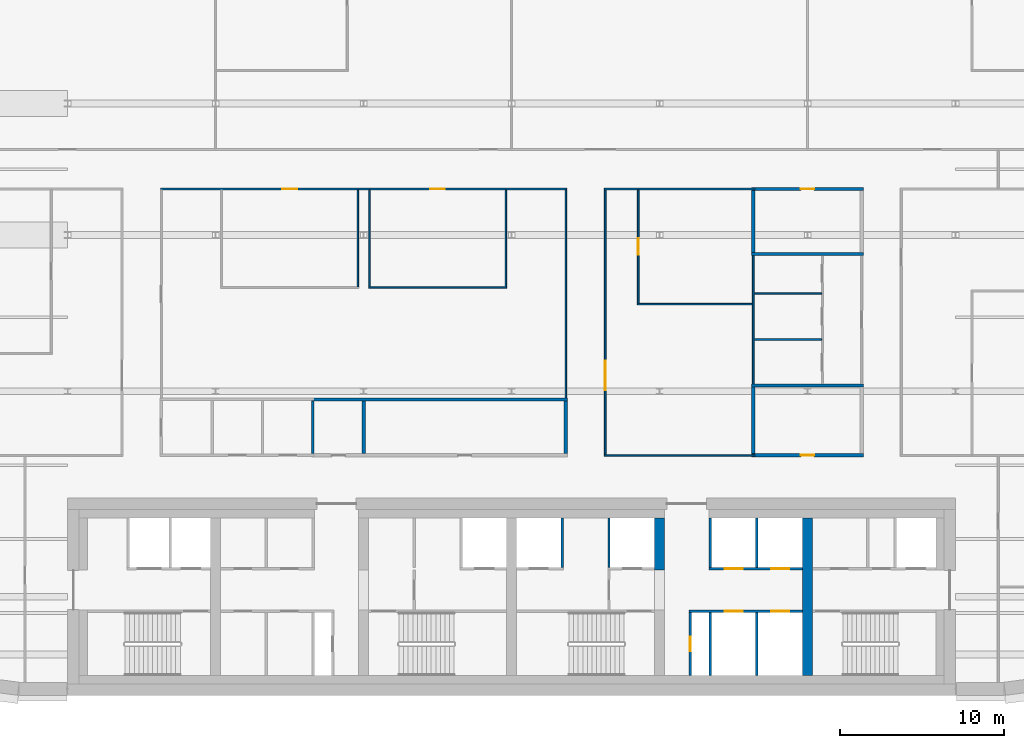
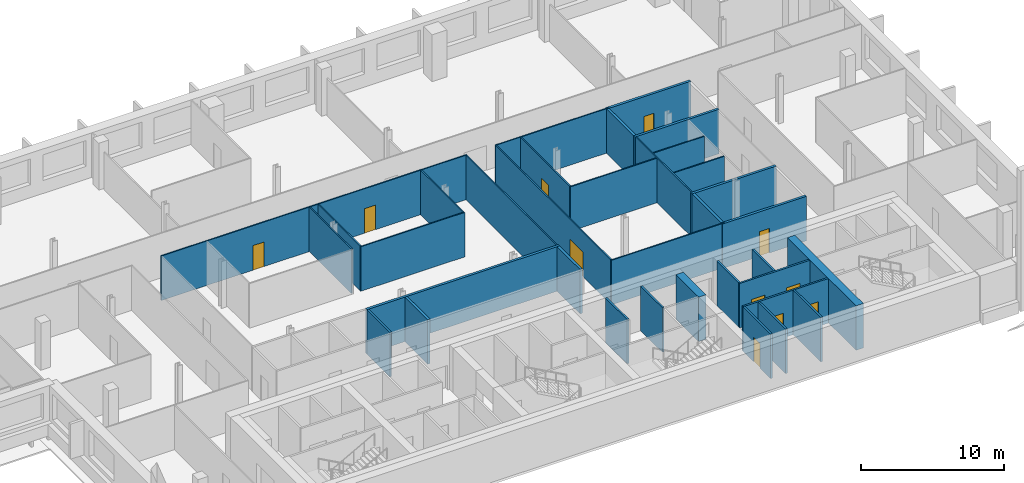
# One storey, part 8 of 19: 35 walls, 11 doors, 11 openings.
"""IFC4 building model written with IfcOpenShell, lengths in metres."""

from ifc_helpers import new_model, si_unit, direction, frame, frame_2d, origin, place, context, subcontext, project, spatial, rectangle, extrude, material, layer, layer_set, type_object, element, fill, save


model = new_model("IFC4")

# Units and contexts
model_context = context("Model", 3, precision=1e-05, world=origin(), true_north=direction((0.0, 1.0)))
body_context = subcontext(model_context, "Body", "Model", "MODEL_VIEW")
ifc_project = project(units=[si_unit("LENGTHUNIT", "METRE"), si_unit("AREAUNIT", "SQUARE_METRE"), si_unit("VOLUMEUNIT", "CUBIC_METRE"), si_unit("PLANEANGLEUNIT", "RADIAN"), si_unit("MASSUNIT", "GRAM", prefix="KILO")], contexts=[model_context])

# Site, building, storey
site_placement = place(None, origin())
site = spatial("IfcSite", under=ifc_project, at=site_placement, CompositionType="ELEMENT")
building_placement = place(site_placement, origin())
building = spatial("IfcBuilding", under=site, at=building_placement, Name="Zellij Exchange Tower", CompositionType="ELEMENT")
storey_placement = place(building_placement, frame((0.0, 0.0, 220.5)))
storey = spatial("IfcBuildingStorey", under=building, at=storey_placement, Name="L51", CompositionType="ELEMENT", Elevation=220.5)

# Walls
ifc_material_1 = material(Name="Concrete C50/60", Category="concrete")
ifc_layer_1 = layer(ifc_material_1, 0.60009765625)
ifc_layer_set_1 = layer_set([ifc_layer_1], Name="Concrete C50/60")
wall_type_1 = type_object("IfcWallType", Name="CORE-CW 600 C50/60", PredefinedType="SHEAR", material=ifc_layer_set_1)
wall_1_placement = place(storey_placement, frame((9.0, -6.375, 0.0), z_axis=(0.0, 0.0, 1.0), x_axis=(0.0, 1.0, 0.0)))
element("IfcWall", 1, at=wall_1_placement, inside=storey, type_object=wall_type_1, Name="Core cross wall pier x 9 b L51", PredefinedType="SHEAR", context=body_context, shape_type="SweptSolid", body=[
    extrude(rectangle(XDim=3.175048828125, YDim=0.60009765625, at=frame_2d((1.58740234375, 0.0))), origin(), (0.0, 0.0, 1.0), 3.800048828125),
])
wall_2_placement = place(storey_placement, frame((18.0, -12.800048828125, 0.0), z_axis=(0.0, 0.0, 1.0), x_axis=(0.0, 1.0, 0.0)))
element("IfcWall", 2, at=wall_2_placement, inside=storey, type_object=wall_type_1, Name="Core cross wall x 18 L51", PredefinedType="SHEAR", context=body_context, shape_type="SweptSolid", body=[
    extrude(rectangle(XDim=9.60009765625, YDim=0.60009765625, at=frame_2d((4.800048828125, 0.0))), origin(), (0.0, 0.0, 1.0), 3.800048828125),
])

# Wall, opening, door
ifc_material_2 = material(Name="Gypsum board partition")
ifc_layer_2 = layer(ifc_material_2, 0.14990234375)
ifc_layer_set_2 = layer_set([ifc_layer_2], Name="Gypsum board partition")
wall_type_2 = type_object("IfcWallType", Name="CORE-PW 150 Lift lobby wall", PredefinedType="PARTITIONING", material=ifc_layer_set_2)
wall_3_placement = place(storey_placement, frame((10.875, -12.800048828125, 0.0), z_axis=(0.0, 0.0, 1.0), x_axis=(0.0, 1.0, 0.0)))
wall_3 = element("IfcWall", 3, at=wall_3_placement, inside=storey, type_object=wall_type_2, Name="Lift lobby wall L51", PredefinedType="PARTITIONING", context=body_context, shape_type="SweptSolid", body=[
    extrude(rectangle(XDim=3.85009765625, YDim=0.14990234375, at=frame_2d((1.925048828125, 0.0))), origin(), (0.0, 0.0, 1.0), 3.800048828125),
])
opening_1_placement = place(wall_3_placement, frame((1.47509765625, 0.0, 0.0)))
opening_1 = element("IfcOpeningElement", 4, at=opening_1_placement, cuts=wall_3, Name="Opening CA-28.19", PredefinedType="OPENING", context=body_context, shape_type="SweptSolid", body=[
    extrude(rectangle(XDim=0.89990234375, YDim=2.10009765625, at=frame_2d((0.449951171875, 1.050048828125))), frame((0.0, 0.0869140625, 0.0), z_axis=(0.0, -1.0, 0.0), x_axis=(1.0, 0.0, 0.0)), (0.0, 0.0, 1.0), 0.173828125),
])
ifc_material_3 = material(Name="Hollow metal fire door")
door_type_1 = type_object("IfcDoorType", Name="CORE-D RD Riser door 900x2100 1.5 HR", OperationType="NOTDEFINED", PredefinedType="DOOR", material=ifc_material_3)
door_1_placement = place(opening_1_placement, origin())
door_1 = element("IfcDoor", 5, at=door_1_placement, inside=storey, type_object=door_type_1, Name="Riser door CA-28.19", OperationType="SINGLE_SWING_LEFT", OverallHeight=2.10009765625, OverallWidth=0.89990234375, PredefinedType="DOOR", context=body_context, shape_type="SweptSolid", body=[
    extrude(rectangle(XDim=0.89990234375, YDim=2.10009765625, at=frame_2d((0.449951171875, 1.050048828125))), frame((0.0, 0.02490234375, 0.0), z_axis=(0.0, -1.0, 0.0), x_axis=(1.0, 0.0, 0.0)), (0.0, 0.0, 1.0), 0.050048828125),
])
fill(opening_1, door_1)

# Walls
ifc_material_4 = material(Name="Gypsum shaft wall system")
ifc_layer_3 = layer(ifc_material_4, 0.14990234375)
ifc_layer_set_3 = layer_set([ifc_layer_3], Name="Gypsum shaft wall system")
wall_type_3 = type_object("IfcWallType", Name="CORE-PW 150 Lift shaft wall", PredefinedType="PARTITIONING", material=ifc_layer_set_3)
for number, where, z_axis, x_axis, name in (
    (6, (3.074951171875, -6.22509765625, 0.0), (0.0, 0.0, 1.0), (0.0, 1.0, 0.0), "Lift shaft wall L51"),
    (7, (5.925048828125, -6.22509765625, 0.0), (0.0, 0.0, 1.0), (0.0, 1.0, 0.0), "Lift shaft wall L51"),
    (8, (12.074951171875, -6.22509765625, 0.0), (0.0, 0.0, 1.0), (0.0, 1.0, 0.0), "Lift shaft wall L51"),
    (9, (14.925048828125, -6.22509765625, 0.0), (0.0, 0.0, 1.0), (0.0, 1.0, 0.0), "Lift shaft wall L51"),
):
    element("IfcWall", number, at=place(storey_placement, frame(where, z_axis=z_axis, x_axis=x_axis)), inside=storey, type_object=wall_type_3, Name=name, PredefinedType="PARTITIONING", context=body_context, shape_type="SweptSolid", body=[
        extrude(rectangle(XDim=3.025146484375, YDim=0.14990234375, at=frame_2d((1.5126953125, 0.0))), origin(), (0.0, 0.0, 1.0), 3.800048828125),
    ])
for number, where, z_axis, x_axis, name in (
    (10, (12.074951171875, -12.800048828125, 0.0), (0.0, 0.0, 1.0), (0.0, 1.0, 0.0), "Lift shaft wall L51"),
    (11, (14.925048828125, -12.800048828125, 0.0), (0.0, 0.0, 1.0), (0.0, 1.0, 0.0), "Lift shaft wall L51"),
):
    element("IfcWall", number, at=place(storey_placement, frame(where, z_axis=z_axis, x_axis=x_axis)), inside=storey, type_object=wall_type_3, Name=name, PredefinedType="PARTITIONING", context=body_context, shape_type="SweptSolid", body=[
        extrude(rectangle(XDim=3.85009765625, YDim=0.14990234375, at=frame_2d((1.925048828125, 0.0))), origin(), (0.0, 0.0, 1.0), 3.800048828125),
    ])

# Wall, openings, doors
wall_4_placement = place(storey_placement, frame((12.0, -6.300048828125, 0.0), z_axis=(0.0, 0.0, 1.0), x_axis=(1.0, 0.0, 0.0)))
wall_4 = element("IfcWall", 12, at=wall_4_placement, inside=storey, type_object=wall_type_3, Name="Lift shaft wall L51", PredefinedType="PARTITIONING", context=body_context, shape_type="SweptSolid", body=[
    extrude(rectangle(XDim=5.699951171875, YDim=0.14990234375, at=frame_2d((2.85009765625, 0.0))), origin(), (0.0, 0.0, 1.0), 3.800048828125),
])
opening_2_placement = place(wall_4_placement, frame((0.949951171875, 0.0, 0.0)))
opening_2 = element("IfcOpeningElement", 13, at=opening_2_placement, cuts=wall_4, Name="Opening CA-28.21", PredefinedType="OPENING", context=body_context, shape_type="SweptSolid", body=[
    extrude(rectangle(XDim=1.10009765625, YDim=2.10009765625, at=frame_2d((0.550048828125, 1.050048828125))), frame((0.0, 0.0869140625, 0.0), z_axis=(0.0, -1.0, 0.0), x_axis=(1.0, 0.0, 0.0)), (0.0, 0.0, 1.0), 0.173828125),
])
opening_3_placement = place(wall_4_placement, frame((3.800048828125, 0.0, 0.0)))
opening_3 = element("IfcOpeningElement", 14, at=opening_3_placement, cuts=wall_4, Name="Opening CA-28.23", PredefinedType="OPENING", context=body_context, shape_type="SweptSolid", body=[
    extrude(rectangle(XDim=1.10009765625, YDim=2.10009765625, at=frame_2d((0.550048828125, 1.050048828125))), frame((0.0, 0.0869140625, 0.0), z_axis=(0.0, -1.0, 0.0), x_axis=(1.0, 0.0, 0.0)), (0.0, 0.0, 1.0), 0.173828125),
])
door_type_2 = type_object("IfcDoorType", Name="CORE-D LD Lift landing door 1100x2100 1.5 HR", OperationType="NOTDEFINED", PredefinedType="DOOR", material=ifc_material_3)
door_2_placement = place(opening_2_placement, origin())
door_2 = element("IfcDoor", 15, at=door_2_placement, inside=storey, type_object=door_type_2, Name="Lift landing door CA-28.21", OperationType="SLIDING_TO_LEFT", OverallHeight=2.10009765625, OverallWidth=1.10009765625, PredefinedType="DOOR", context=body_context, shape_type="SweptSolid", body=[
    extrude(rectangle(XDim=1.10009765625, YDim=2.10009765625, at=frame_2d((0.550048828125, 1.050048828125))), frame((0.0, 0.02490234375, 0.0), z_axis=(0.0, -1.0, 0.0), x_axis=(1.0, 0.0, 0.0)), (0.0, 0.0, 1.0), 0.050048828125),
])
fill(opening_2, door_2)
door_3_placement = place(opening_3_placement, origin())
door_3 = element("IfcDoor", 16, at=door_3_placement, inside=storey, type_object=door_type_2, Name="Lift landing door CA-28.23", OperationType="SLIDING_TO_LEFT", OverallHeight=2.10009765625, OverallWidth=1.10009765625, PredefinedType="DOOR", context=body_context, shape_type="SweptSolid", body=[
    extrude(rectangle(XDim=1.10009765625, YDim=2.10009765625, at=frame_2d((0.550048828125, 1.050048828125))), frame((0.0, 0.02490234375, 0.0), z_axis=(0.0, -1.0, 0.0), x_axis=(1.0, 0.0, 0.0)), (0.0, 0.0, 1.0), 0.050048828125),
])
fill(opening_3, door_3)

wall_5_placement = place(storey_placement, frame((10.800048828125, -8.875, 0.0), z_axis=(0.0, 0.0, 1.0), x_axis=(1.0, 0.0, 0.0)))
wall_5 = element("IfcWall", 17, at=wall_5_placement, inside=storey, type_object=wall_type_3, Name="Lift shaft wall L51", PredefinedType="PARTITIONING", context=body_context, shape_type="SweptSolid", body=[
    extrude(rectangle(XDim=6.89990234375, YDim=0.14990234375, at=frame_2d((3.449951171875, 0.0))), origin(), (0.0, 0.0, 1.0), 3.800048828125),
])
opening_4_placement = place(wall_5_placement, frame((2.14990234375, 0.0, 0.0)))
opening_4 = element("IfcOpeningElement", 18, at=opening_4_placement, cuts=wall_5, Name="Opening CA-28.20", PredefinedType="OPENING", context=body_context, shape_type="SweptSolid", body=[
    extrude(rectangle(XDim=1.10009765625, YDim=2.10009765625, at=frame_2d((0.550048828125, 1.050048828125))), frame((0.0, 0.0869140625, 0.0), z_axis=(0.0, -1.0, 0.0), x_axis=(1.0, 0.0, 0.0)), (0.0, 0.0, 1.0), 0.173828125),
])
opening_5_placement = place(wall_5_placement, frame((5.0, 0.0, 0.0)))
opening_5 = element("IfcOpeningElement", 19, at=opening_5_placement, cuts=wall_5, Name="Opening CA-28.22", PredefinedType="OPENING", context=body_context, shape_type="SweptSolid", body=[
    extrude(rectangle(XDim=1.10009765625, YDim=2.10009765625, at=frame_2d((0.550048828125, 1.050048828125))), frame((0.0, 0.0869140625, 0.0), z_axis=(0.0, -1.0, 0.0), x_axis=(1.0, 0.0, 0.0)), (0.0, 0.0, 1.0), 0.173828125),
])
door_4_placement = place(opening_4_placement, origin())
door_4 = element("IfcDoor", 20, at=door_4_placement, inside=storey, type_object=door_type_2, Name="Lift landing door CA-28.20", OperationType="SLIDING_TO_RIGHT", OverallHeight=2.10009765625, OverallWidth=1.10009765625, PredefinedType="DOOR", context=body_context, shape_type="SweptSolid", body=[
    extrude(rectangle(XDim=1.10009765625, YDim=2.10009765625, at=frame_2d((0.550048828125, 1.050048828125))), frame((0.0, 0.02490234375, 0.0), z_axis=(0.0, -1.0, 0.0), x_axis=(1.0, 0.0, 0.0)), (0.0, 0.0, 1.0), 0.050048828125),
])
fill(opening_4, door_4)
door_5_placement = place(opening_5_placement, origin())
door_5 = element("IfcDoor", 21, at=door_5_placement, inside=storey, type_object=door_type_2, Name="Lift landing door CA-28.22", OperationType="SLIDING_TO_RIGHT", OverallHeight=2.10009765625, OverallWidth=1.10009765625, PredefinedType="DOOR", context=body_context, shape_type="SweptSolid", body=[
    extrude(rectangle(XDim=1.10009765625, YDim=2.10009765625, at=frame_2d((0.550048828125, 1.050048828125))), frame((0.0, 0.02490234375, 0.0), z_axis=(0.0, -1.0, 0.0), x_axis=(1.0, 0.0, 0.0)), (0.0, 0.0, 1.0), 0.050048828125),
])
fill(opening_5, door_5)

# Walls
ifc_material_5 = material(Name="Blockwork partition", Category="masonry")
ifc_layer_4 = layer(ifc_material_5, 0.199951171875)
ifc_layer_set_4 = layer_set([ifc_layer_4], Name="Blockwork partition")
wall_type_4 = type_object("IfcWallType", Name="FIT-BLOCKWORK-200", PredefinedType="PARTITIONING", material=ifc_layer_set_4)
for number, where, z_axis, x_axis, name in (
    (22, (-9.0, 0.699951171875, 0.0), (0.0, 0.0, 1.0), (0.0, 1.0, 0.0), "FIT-BLOCKWORK-200 012"),
    (23, (3.300048828125, 0.699951171875, 0.0), (0.0, 0.0, 1.0), (0.0, 1.0, 0.0), "FIT-BLOCKWORK-200 013"),
):
    element("IfcWall", number, at=place(storey_placement, frame(where, z_axis=z_axis, x_axis=x_axis)), inside=storey, type_object=wall_type_4, Name=name, PredefinedType="PARTITIONING", context=body_context, shape_type="SweptSolid", body=[
        extrude(rectangle(XDim=3.199951171875, YDim=0.199951171875, at=frame_2d((1.60009765625, 0.0))), origin(), (0.0, 0.0, 1.0), 3.800048828125),
    ])

# Wall, opening, door
wall_6_placement = place(storey_placement, frame((14.60009765625, 0.60009765625, 0.0), z_axis=(0.0, 0.0, 1.0), x_axis=(1.0, 0.0, 0.0)))
wall_6 = element("IfcWall", 24, at=wall_6_placement, inside=storey, type_object=wall_type_4, Name="FIT-BLOCKWORK-200 016", PredefinedType="PARTITIONING", context=body_context, shape_type="SweptSolid", body=[
    extrude(rectangle(XDim=6.7998046875, YDim=0.199951171875, at=frame_2d((3.39990234375, 0.0))), origin(), (0.0, 0.0, 1.0), 3.800048828125),
])
opening_6_placement = place(wall_6_placement, frame((3.0, 0.0, 0.0)))
opening_6 = element("IfcOpeningElement", 25, at=opening_6_placement, cuts=wall_6, Name="Opening O4A.07", PredefinedType="OPENING", context=body_context, shape_type="SweptSolid", body=[
    extrude(rectangle(XDim=0.800048828125, YDim=2.10009765625, at=frame_2d((0.39990234375, 1.050048828125))), frame((0.0, 0.11181640625, 0.0), z_axis=(0.0, -1.0, 0.0), x_axis=(1.0, 0.0, 0.0)), (0.0, 0.0, 1.0), 0.223876953125),
])
ifc_material_6 = material(Name="Timber door set", Category="wood")
door_type_3 = type_object("IfcDoorType", Name="FIT-D6-SERVICE-800X2100", OperationType="SINGLE_SWING_LEFT", PredefinedType="DOOR", material=ifc_material_6)
door_6_placement = place(opening_6_placement, origin())
door_6 = element("IfcDoor", 26, at=door_6_placement, inside=storey, type_object=door_type_3, Name="Door O4A.07", OperationType="SINGLE_SWING_RIGHT", OverallHeight=2.10009765625, OverallWidth=0.800048828125, PredefinedType="DOOR", context=body_context, shape_type="SweptSolid", body=[
    extrude(rectangle(XDim=0.800048828125, YDim=2.10009765625, at=frame_2d((0.39990234375, 1.050048828125))), frame((0.0, 0.02490234375, 0.0), z_axis=(0.0, -1.0, 0.0), x_axis=(1.0, 0.0, 0.0)), (0.0, 0.0, 1.0), 0.050048828125),
])
fill(opening_6, door_6)

# Walls
wall_7_placement = place(storey_placement, frame((14.699951171875, 0.699951171875, 0.0), z_axis=(0.0, 0.0, 1.0), x_axis=(0.0, 1.0, 0.0)))
element("IfcWall", 27, at=wall_7_placement, inside=storey, type_object=wall_type_4, Name="FIT-BLOCKWORK-200 017", PredefinedType="PARTITIONING", context=body_context, shape_type="SweptSolid", body=[
    extrude(rectangle(XDim=4.050048828125, YDim=0.199951171875, at=frame_2d((2.02490234375, 0.0))), origin(), (0.0, 0.0, 1.0), 3.800048828125),
])
wall_8_placement = place(storey_placement, frame((-12.155029296875, 4.0, 0.0), z_axis=(0.0, 0.0, 1.0), x_axis=(1.0, 0.0, 0.0)))
element("IfcWall", 28, at=wall_8_placement, inside=storey, type_object=wall_type_4, Name="FIT-BLOCKWORK-200 024", PredefinedType="PARTITIONING", context=body_context, shape_type="SweptSolid", body=[
    extrude(rectangle(XDim=15.554931640625, YDim=0.199951171875, at=frame_2d((7.77734375, 0.0))), origin(), (0.0, 0.0, 1.0), 3.800048828125),
])
for number, where, z_axis, x_axis, name in (
    (29, (14.60009765625, 4.85009765625, 0.0), (0.0, 0.0, 1.0), (1.0, 0.0, 0.0), "FIT-BLOCKWORK-200 026"),
    (30, (14.60009765625, 12.85009765625, 0.0), (0.0, 0.0, 1.0), (1.0, 0.0, 0.0), "FIT-BLOCKWORK-200 047"),
):
    element("IfcWall", number, at=place(storey_placement, frame(where, z_axis=z_axis, x_axis=x_axis)), inside=storey, type_object=wall_type_4, Name=name, PredefinedType="PARTITIONING", context=body_context, shape_type="SweptSolid", body=[
        extrude(rectangle(XDim=6.7998046875, YDim=0.199951171875, at=frame_2d((3.39990234375, 0.0))), origin(), (0.0, 0.0, 1.0), 3.800048828125),
    ])
wall_9_placement = place(storey_placement, frame((14.699951171875, 12.949951171875, 0.0), z_axis=(0.0, 0.0, 1.0), x_axis=(0.0, 1.0, 0.0)))
element("IfcWall", 31, at=wall_9_placement, inside=storey, type_object=wall_type_4, Name="FIT-BLOCKWORK-200 048", PredefinedType="PARTITIONING", context=body_context, shape_type="SweptSolid", body=[
    extrude(rectangle(XDim=3.75, YDim=0.199951171875, at=frame_2d((1.875, 0.0))), origin(), (0.0, 0.0, 1.0), 3.800048828125),
])

# Wall, opening, door
wall_10_placement = place(storey_placement, frame((14.60009765625, 16.800048828125, 0.0), z_axis=(0.0, 0.0, 1.0), x_axis=(1.0, 0.0, 0.0)))
wall_10 = element("IfcWall", 32, at=wall_10_placement, inside=storey, type_object=wall_type_4, Name="FIT-BLOCKWORK-200 055", PredefinedType="PARTITIONING", context=body_context, shape_type="SweptSolid", body=[
    extrude(rectangle(XDim=6.7998046875, YDim=0.199951171875, at=frame_2d((3.39990234375, 0.0))), origin(), (0.0, 0.0, 1.0), 3.800048828125),
])
opening_7_placement = place(wall_10_placement, frame((3.0, 0.0, 0.0)))
opening_7 = element("IfcOpeningElement", 33, at=opening_7_placement, cuts=wall_10, Name="Opening O4A.23", PredefinedType="OPENING", context=body_context, shape_type="SweptSolid", body=[
    extrude(rectangle(XDim=0.800048828125, YDim=2.10009765625, at=frame_2d((0.39990234375, 1.050048828125))), frame((0.0, 0.11181640625, 0.0), z_axis=(0.0, -1.0, 0.0), x_axis=(1.0, 0.0, 0.0)), (0.0, 0.0, 1.0), 0.223876953125),
])
door_7_placement = place(opening_7_placement, origin())
door_7 = element("IfcDoor", 34, at=door_7_placement, inside=storey, type_object=door_type_3, Name="Door O4A.23", OperationType="SINGLE_SWING_LEFT", OverallHeight=2.10009765625, OverallWidth=0.800048828125, PredefinedType="DOOR", context=body_context, shape_type="SweptSolid", body=[
    extrude(rectangle(XDim=0.800048828125, YDim=2.10009765625, at=frame_2d((0.39990234375, 1.050048828125))), frame((0.0, 0.02490234375, 0.0), z_axis=(0.0, -1.0, 0.0), x_axis=(1.0, 0.0, 0.0)), (0.0, 0.0, 1.0), 0.050048828125),
])
fill(opening_7, door_7)

# Wall
ifc_material_7 = material(Name="Gypsum board partition on steel studs", Category="steel")
ifc_layer_5 = layer(ifc_material_7, 0.10009765625)
ifc_layer_set_5 = layer_set([ifc_layer_5], Name="Gypsum board partition on steel studs")
wall_type_5 = type_object("IfcWallType", Name="FIT-PARTITION-100", PredefinedType="PARTITIONING", material=ifc_layer_set_5)
wall_11_placement = place(storey_placement, frame((5.64990234375, 0.60009765625, 0.0), z_axis=(0.0, 0.0, 1.0), x_axis=(1.0, 0.0, 0.0)))
element("IfcWall", 35, at=wall_11_placement, inside=storey, type_object=wall_type_5, Name="FIT-PARTITION-100 014", PredefinedType="PARTITIONING", context=body_context, shape_type="SweptSolid", body=[
    extrude(rectangle(XDim=9.150146484375, YDim=0.10009765625, at=frame_2d((4.5751953125, 0.0))), origin(), (0.0, 0.0, 1.0), 3.800048828125),
])

# Wall, opening, door
wall_12_placement = place(storey_placement, frame((5.699951171875, 0.64990234375, 0.0), z_axis=(0.0, 0.0, 1.0), x_axis=(0.0, 1.0, 0.0)))
wall_12 = element("IfcWall", 36, at=wall_12_placement, inside=storey, type_object=wall_type_5, Name="FIT-PARTITION-100 015", PredefinedType="PARTITIONING", context=body_context, shape_type="SweptSolid", body=[
    extrude(rectangle(XDim=16.10009765625, YDim=0.10009765625, at=frame_2d((8.050048828125, 0.0))), origin(), (0.0, 0.0, 1.0), 3.800048828125),
])
opening_8_placement = place(wall_12_placement, frame((3.89990234375, 0.0, 0.0)))
opening_8 = element("IfcOpeningElement", 37, at=opening_8_placement, cuts=wall_12, Name="Opening O4A.10", PredefinedType="OPENING", context=body_context, shape_type="SweptSolid", body=[
    extrude(rectangle(XDim=1.800048828125, YDim=2.10009765625, at=frame_2d((0.89990234375, 1.050048828125))), frame((0.0, 0.06201171875, 0.0), z_axis=(0.0, -1.0, 0.0), x_axis=(1.0, 0.0, 0.0)), (0.0, 0.0, 1.0), 0.1240234375),
])
door_type_4 = type_object("IfcDoorType", Name="FIT-D3-DOUBLE-1800X2100", OperationType="DOUBLE_DOOR_SINGLE_SWING", PredefinedType="DOOR", material=ifc_material_6)
door_8_placement = place(opening_8_placement, origin())
door_8 = element("IfcDoor", 38, at=door_8_placement, inside=storey, type_object=door_type_4, Name="Door O4A.10", OperationType="DOUBLE_DOOR_SINGLE_SWING", OverallHeight=2.10009765625, OverallWidth=1.800048828125, PredefinedType="DOOR", context=body_context, shape_type="SweptSolid", body=[
    extrude(rectangle(XDim=1.800048828125, YDim=2.10009765625, at=frame_2d((0.89990234375, 1.050048828125))), frame((0.0, 0.02490234375, 0.0), z_axis=(0.0, -1.0, 0.0), x_axis=(1.0, 0.0, 0.0)), (0.0, 0.0, 1.0), 0.050048828125),
])
fill(opening_8, door_8)

# Walls
wall_13_placement = place(storey_placement, frame((3.300048828125, 4.10009765625, 0.0), z_axis=(0.0, 0.0, 1.0), x_axis=(0.0, 1.0, 0.0)))
element("IfcWall", 39, at=wall_13_placement, inside=storey, type_object=wall_type_5, Name="FIT-PARTITION-100 025", PredefinedType="PARTITIONING", context=body_context, shape_type="SweptSolid", body=[
    extrude(rectangle(XDim=12.64990234375, YDim=0.10009765625, at=frame_2d((6.324951171875, 0.0))), origin(), (0.0, 0.0, 1.0), 3.800048828125),
])
wall_14_placement = place(storey_placement, frame((14.699951171875, 4.949951171875, 0.0), z_axis=(0.0, 0.0, 1.0), x_axis=(0.0, 1.0, 0.0)))
element("IfcWall", 40, at=wall_14_placement, inside=storey, type_object=wall_type_5, Name="FIT-PARTITION-100 027", PredefinedType="PARTITIONING", context=body_context, shape_type="SweptSolid", body=[
    extrude(rectangle(XDim=7.800048828125, YDim=0.10009765625, at=frame_2d((3.89990234375, 0.0))), origin(), (0.0, 0.0, 1.0), 3.800048828125),
])
wall_15_placement = place(storey_placement, frame((14.75, 7.64990234375, 0.0), z_axis=(0.0, 0.0, 1.0), x_axis=(1.0, 0.0, 0.0)))
element("IfcWall", 41, at=wall_15_placement, inside=storey, type_object=wall_type_5, Name="FIT-PARTITION-100 032", PredefinedType="PARTITIONING", context=body_context, shape_type="SweptSolid", body=[
    extrude(rectangle(XDim=4.10009765625, YDim=0.10009765625, at=frame_2d((2.050048828125, 0.0))), origin(), (0.0, 0.0, 1.0), 3.800048828125),
])
wall_16_placement = place(storey_placement, frame((7.64990234375, 9.800048828125, 0.0), z_axis=(0.0, 0.0, 1.0), x_axis=(1.0, 0.0, 0.0)))
element("IfcWall", 42, at=wall_16_placement, inside=storey, type_object=wall_type_5, Name="FIT-PARTITION-100 037", PredefinedType="PARTITIONING", context=body_context, shape_type="SweptSolid", body=[
    extrude(rectangle(XDim=7.0, YDim=0.10009765625, at=frame_2d((3.5, 0.0))), origin(), (0.0, 0.0, 1.0), 3.800048828125),
])

# Wall, opening, door
wall_17_placement = place(storey_placement, frame((7.699951171875, 9.85009765625, 0.0), z_axis=(0.0, 0.0, 1.0), x_axis=(0.0, 1.0, 0.0)))
wall_17 = element("IfcWall", 43, at=wall_17_placement, inside=storey, type_object=wall_type_5, Name="FIT-PARTITION-100 038", PredefinedType="PARTITIONING", context=body_context, shape_type="SweptSolid", body=[
    extrude(rectangle(XDim=6.89990234375, YDim=0.10009765625, at=frame_2d((3.449951171875, 0.0))), origin(), (0.0, 0.0, 1.0), 3.800048828125),
])
opening_9_placement = place(wall_17_placement, frame((2.949951171875, 0.0, 0.0)))
opening_9 = element("IfcOpeningElement", 44, at=opening_9_placement, cuts=wall_17, Name="Opening O4A.20", PredefinedType="OPENING", context=body_context, shape_type="SweptSolid", body=[
    extrude(rectangle(XDim=1.0, YDim=2.10009765625, at=frame_2d((0.5, 1.050048828125))), frame((0.0, 0.06201171875, 0.0), z_axis=(0.0, -1.0, 0.0), x_axis=(1.0, 0.0, 0.0)), (0.0, 0.0, 1.0), 0.1240234375),
])
door_type_5 = type_object("IfcDoorType", Name="FIT-D2-WIDE-1000X2100", OperationType="SINGLE_SWING_LEFT", PredefinedType="DOOR", material=ifc_material_6)
door_9_placement = place(opening_9_placement, origin())
door_9 = element("IfcDoor", 45, at=door_9_placement, inside=storey, type_object=door_type_5, Name="Door O4A.20", OperationType="SINGLE_SWING_LEFT", OverallHeight=2.10009765625, OverallWidth=1.0, PredefinedType="DOOR", context=body_context, shape_type="SweptSolid", body=[
    extrude(rectangle(XDim=1.0, YDim=2.10009765625, at=frame_2d((0.5, 1.050048828125))), frame((0.0, 0.02490234375, 0.0), z_axis=(0.0, -1.0, 0.0), x_axis=(1.0, 0.0, 0.0)), (0.0, 0.0, 1.0), 0.050048828125),
])
fill(opening_9, door_9)

# Walls
wall_18_placement = place(storey_placement, frame((14.75, 10.449951171875, 0.0), z_axis=(0.0, 0.0, 1.0), x_axis=(1.0, 0.0, 0.0)))
element("IfcWall", 46, at=wall_18_placement, inside=storey, type_object=wall_type_5, Name="FIT-PARTITION-100 039", PredefinedType="PARTITIONING", context=body_context, shape_type="SweptSolid", body=[
    extrude(rectangle(XDim=4.10009765625, YDim=0.10009765625, at=frame_2d((2.050048828125, 0.0))), origin(), (0.0, 0.0, 1.0), 3.800048828125),
])
wall_19_placement = place(storey_placement, frame((-9.35009765625, 10.85009765625, 0.0), z_axis=(0.0, 0.0, 1.0), x_axis=(0.0, 1.0, 0.0)))
element("IfcWall", 47, at=wall_19_placement, inside=storey, type_object=wall_type_5, Name="FIT-PARTITION-100 043", PredefinedType="PARTITIONING", context=body_context, shape_type="SweptSolid", body=[
    extrude(rectangle(XDim=5.89990234375, YDim=0.10009765625, at=frame_2d((2.949951171875, 0.0))), origin(), (0.0, 0.0, 1.0), 3.800048828125),
])
wall_20_placement = place(storey_placement, frame((-8.699951171875, 10.800048828125, 0.0), z_axis=(0.0, 0.0, 1.0), x_axis=(1.0, 0.0, 0.0)))
element("IfcWall", 48, at=wall_20_placement, inside=storey, type_object=wall_type_5, Name="FIT-PARTITION-100 044", PredefinedType="PARTITIONING", context=body_context, shape_type="SweptSolid", body=[
    extrude(rectangle(XDim=8.39990234375, YDim=0.10009765625, at=frame_2d((4.199951171875, 0.0))), origin(), (0.0, 0.0, 1.0), 3.800048828125),
])
for number, where, z_axis, x_axis, name in (
    (49, (-8.64990234375, 10.85009765625, 0.0), (0.0, 0.0, 1.0), (0.0, 1.0, 0.0), "FIT-PARTITION-100 045"),
    (50, (-0.35009765625, 10.85009765625, 0.0), (0.0, 0.0, 1.0), (0.0, 1.0, 0.0), "FIT-PARTITION-100 046"),
):
    element("IfcWall", number, at=place(storey_placement, frame(where, z_axis=z_axis, x_axis=x_axis)), inside=storey, type_object=wall_type_5, Name=name, PredefinedType="PARTITIONING", context=body_context, shape_type="SweptSolid", body=[
        extrude(rectangle(XDim=5.89990234375, YDim=0.10009765625, at=frame_2d((2.949951171875, 0.0))), origin(), (0.0, 0.0, 1.0), 3.800048828125),
    ])

# Wall, openings, doors
wall_21_placement = place(storey_placement, frame((-21.35009765625, 16.800048828125, 0.0), z_axis=(0.0, 0.0, 1.0), x_axis=(1.0, 0.0, 0.0)))
wall_21 = element("IfcWall", 51, at=wall_21_placement, inside=storey, type_object=wall_type_5, Name="FIT-PARTITION-100 053", PredefinedType="PARTITIONING", context=body_context, shape_type="SweptSolid", body=[
    extrude(rectangle(XDim=24.7001953125, YDim=0.10009765625, at=frame_2d((12.35009765625, 0.0))), origin(), (0.0, 0.0, 1.0), 3.800048828125),
])
opening_10_placement = place(wall_21_placement, frame((7.39990234375, 0.0, 0.0)))
opening_10 = element("IfcOpeningElement", 52, at=opening_10_placement, cuts=wall_21, Name="Opening O4A.21", PredefinedType="OPENING", context=body_context, shape_type="SweptSolid", body=[
    extrude(rectangle(XDim=0.89990234375, YDim=2.10009765625, at=frame_2d((0.449951171875, 1.050048828125))), frame((0.0, 0.06201171875, 0.0), z_axis=(0.0, -1.0, 0.0), x_axis=(1.0, 0.0, 0.0)), (0.0, 0.0, 1.0), 0.1240234375),
])
opening_11_placement = place(wall_21_placement, frame((16.39990234375, 0.0, 0.0)))
opening_11 = element("IfcOpeningElement", 53, at=opening_11_placement, cuts=wall_21, Name="Opening O4A.22", PredefinedType="OPENING", context=body_context, shape_type="SweptSolid", body=[
    extrude(rectangle(XDim=0.89990234375, YDim=2.10009765625, at=frame_2d((0.449951171875, 1.050048828125))), frame((0.0, 0.06201171875, 0.0), z_axis=(0.0, -1.0, 0.0), x_axis=(1.0, 0.0, 0.0)), (0.0, 0.0, 1.0), 0.1240234375),
])
door_type_6 = type_object("IfcDoorType", Name="FIT-D1-ROOM-900X2100", OperationType="SINGLE_SWING_LEFT", PredefinedType="DOOR", material=ifc_material_6)
door_10_placement = place(opening_10_placement, origin())
door_10 = element("IfcDoor", 54, at=door_10_placement, inside=storey, type_object=door_type_6, Name="Door O4A.21", OperationType="SINGLE_SWING_LEFT", OverallHeight=2.10009765625, OverallWidth=0.89990234375, PredefinedType="DOOR", context=body_context, shape_type="SweptSolid", body=[
    extrude(rectangle(XDim=0.89990234375, YDim=2.10009765625, at=frame_2d((0.449951171875, 1.050048828125))), frame((0.0, 0.02490234375, 0.0), z_axis=(0.0, -1.0, 0.0), x_axis=(1.0, 0.0, 0.0)), (0.0, 0.0, 1.0), 0.050048828125),
])
fill(opening_10, door_10)
door_11_placement = place(opening_11_placement, origin())
door_11 = element("IfcDoor", 55, at=door_11_placement, inside=storey, type_object=door_type_6, Name="Door O4A.22", OperationType="SINGLE_SWING_LEFT", OverallHeight=2.10009765625, OverallWidth=0.89990234375, PredefinedType="DOOR", context=body_context, shape_type="SweptSolid", body=[
    extrude(rectangle(XDim=0.89990234375, YDim=2.10009765625, at=frame_2d((0.449951171875, 1.050048828125))), frame((0.0, 0.02490234375, 0.0), z_axis=(0.0, -1.0, 0.0), x_axis=(1.0, 0.0, 0.0)), (0.0, 0.0, 1.0), 0.050048828125),
])
fill(opening_11, door_11)

# Walls
wall_22_placement = place(storey_placement, frame((5.64990234375, 16.800048828125, 0.0), z_axis=(0.0, 0.0, 1.0), x_axis=(1.0, 0.0, 0.0)))
element("IfcWall", 56, at=wall_22_placement, inside=storey, type_object=wall_type_5, Name="FIT-PARTITION-100 054", PredefinedType="PARTITIONING", context=body_context, shape_type="SweptSolid", body=[
    extrude(rectangle(XDim=9.150146484375, YDim=0.10009765625, at=frame_2d((4.5751953125, 0.0))), origin(), (0.0, 0.0, 1.0), 3.800048828125),
])
ifc_material_8 = material(Name="Gypsum board shaft-wall partition", Category="gypsum")
ifc_layer_6 = layer(ifc_material_8, 0.14990234375)
ifc_layer_set_6 = layer_set([ifc_layer_6], Name="Gypsum board shaft-wall partition")
wall_type_6 = type_object("IfcWallType", Name="FIT-PARTITION-150-EI60", PredefinedType="PARTITIONING", material=ifc_layer_set_6)
wall_23_placement = place(storey_placement, frame((-12.080078125, 0.699951171875, 0.0), z_axis=(0.0, 0.0, 1.0), x_axis=(0.0, 1.0, 0.0)))
element("IfcWall", 57, at=wall_23_placement, inside=storey, type_object=wall_type_6, Name="FIT-PARTITION-150-EI60 011", PredefinedType="PARTITIONING", context=body_context, shape_type="SweptSolid", body=[
    extrude(rectangle(XDim=3.199951171875, YDim=0.14990234375, at=frame_2d((1.60009765625, 0.0))), origin(), (0.0, 0.0, 1.0), 3.800048828125),
])

save(model, "model.ifc")
